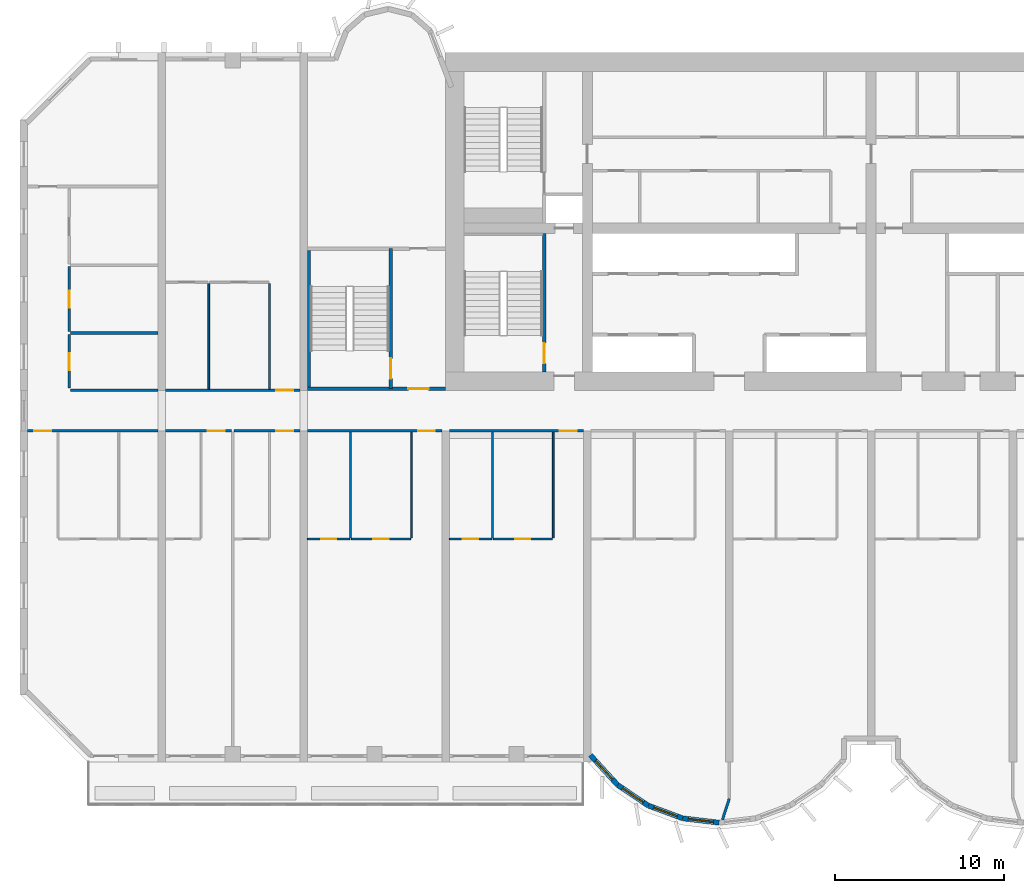
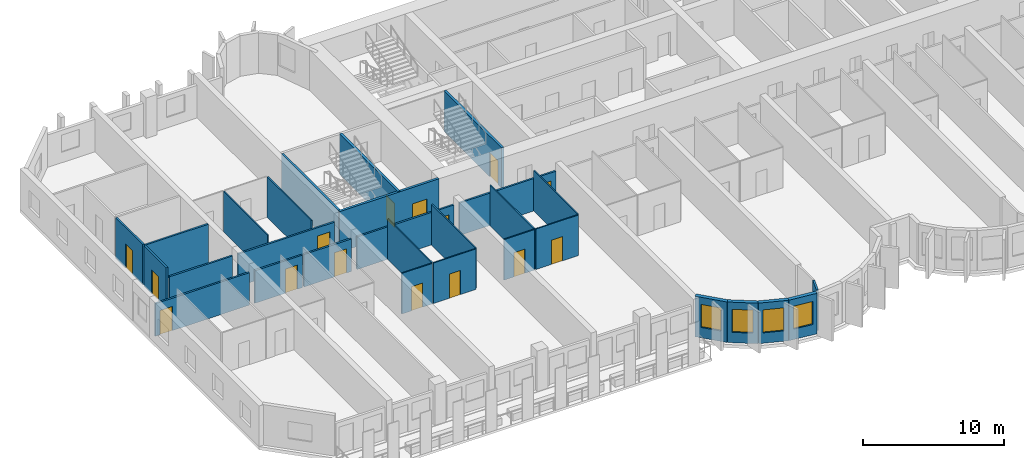
# One storey, part 3 of 14: 29 walls, 15 doors, 4 windows, 19 openings.
"""IFC4 building model written with IfcOpenShell, lengths in metres."""

from ifc_helpers import new_model, si_unit, direction, frame, frame_2d, origin, place, context, subcontext, project, spatial, rectangle, extrude, source, transform, mapped, material, layer, layer_set, type_object, element, fill, save


model = new_model("IFC4")

# Units and contexts
model_context = context("Model", 3, precision=1e-05, world=origin(), true_north=direction((0.0, 1.0)))
body_context = subcontext(model_context, "Body", "Model", "MODEL_VIEW")
ifc_project = project(units=[si_unit("LENGTHUNIT", "METRE"), si_unit("AREAUNIT", "SQUARE_METRE"), si_unit("VOLUMEUNIT", "CUBIC_METRE"), si_unit("PLANEANGLEUNIT", "RADIAN"), si_unit("MASSUNIT", "GRAM", prefix="KILO")], contexts=[model_context])

# Site, building, storey
site_placement = place(None, origin())
site = spatial("IfcSite", under=ifc_project, at=site_placement, CompositionType="ELEMENT")
building_placement = place(site_placement, origin())
building = spatial("IfcBuilding", under=site, at=building_placement, Name="Vanashikhar Sky Hotel", CompositionType="ELEMENT")
storey_placement = place(building_placement, frame((0.0, 0.0, 43.0)))
storey = spatial("IfcBuildingStorey", under=building, at=storey_placement, Name="L09", CompositionType="ELEMENT", Elevation=43.0)

# Wall, opening, window
ifc_material_1 = material(Name="Concrete M50", Category="concrete")
ifc_layer_1 = layer(ifc_material_1, 0.300048828125)
ifc_layer_set_1 = layer_set([ifc_layer_1], Name="Lobe wall 300")
wall_type_1 = type_object("IfcWallType", Name="Lobe wall 300", PredefinedType="SOLIDWALL", material=ifc_layer_set_1)
shared_shape_1 = source(origin(), body_context, "Body", "SweptSolid", [
    extrude(rectangle(XDim=2.398193359375, YDim=0.300048828125, at=frame_2d((1.19921875, 0.0))), origin(), (0.0, 0.0, 1.0), 3.52001953125),
])
wall_1_placement = place(storey_placement, frame((33.776123046875, 0.39990234375, 0.0), z_axis=(0.0, 0.0, 1.0), x_axis=(0.675374189419, -0.737475222815, 0.0)))
wall_1 = element("IfcWall", 1, at=wall_1_placement, inside=storey, type_object=wall_type_1, Name="Lobe wall", PredefinedType="SOLIDWALL", context=body_context, shape_type="MappedRepresentation", body=[
    mapped(shared_shape_1, transform((0.0, 0.0, 0.0), scale=1.0)),
])
shared_shape_2 = source(origin(), body_context, "Body", "SweptSolid", [
    extrude(rectangle(XDim=1.5, YDim=2.0, at=frame_2d((0.75, 1.0))), frame((0.0, 0.16015625, 0.0), z_axis=(0.0, -1.0, 0.0), x_axis=(1.0, 0.0, 0.0)), (0.0, 0.0, 1.0), 0.320068359375),
])
opening_1_placement = place(wall_1_placement, frame((0.44921875, 0.0, 0.89990234375)))
opening_1 = element("IfcOpeningElement", 2, at=opening_1_placement, cuts=wall_1, Name="Opening WN-2", PredefinedType="OPENING", context=body_context, shape_type="MappedRepresentation", body=[
    mapped(shared_shape_2, transform((0.0, 0.0, 0.0), scale=1.0)),
])
ifc_material_2 = material(Name="Glass", Category="glass")
window_type = type_object("IfcWindowType", Name="Lobe window 1500 x 2000", PartitioningType="SINGLE_PANEL", PredefinedType="WINDOW", material=ifc_material_2)
shared_shape_3 = source(origin(), body_context, "Body", "SweptSolid", [
    extrude(rectangle(XDim=1.5, YDim=2.0, at=frame_2d((0.75, 1.0))), frame((0.0, 0.030029296875, 0.0), z_axis=(0.0, -1.0, 0.0), x_axis=(1.0, 0.0, 0.0)), (0.0, 0.0, 1.0), 0.06005859375),
])
window_1_placement = place(opening_1_placement, origin())
window_1 = element("IfcWindow", 3, at=window_1_placement, inside=storey, type_object=window_type, Name="Window WN-2", OverallHeight=2.0, OverallWidth=1.5, PartitioningType="SINGLE_PANEL", PredefinedType="WINDOW", context=body_context, shape_type="MappedRepresentation", body=[
    mapped(shared_shape_3, transform((0.0, 0.0, 0.0), scale=1.0)),
])
fill(opening_1, window_1)

shared_shape_4 = source(origin(), body_context, "Body", "SweptSolid", [
    extrude(rectangle(XDim=2.17578125, YDim=0.300048828125, at=frame_2d((1.087890625, 0.0))), origin(), (0.0, 0.0, 1.0), 3.52001953125),
])
wall_2_placement = place(storey_placement, frame((35.395751953125, -1.36865234375, 0.0), z_axis=(0.0, 0.0, 1.0), x_axis=(0.829590746428, -0.558371913192, 0.0)))
wall_2 = element("IfcWall", 4, at=wall_2_placement, inside=storey, type_object=wall_type_1, Name="Lobe wall", PredefinedType="SOLIDWALL", context=body_context, shape_type="MappedRepresentation", body=[
    mapped(shared_shape_4, transform((0.0, 0.0, 0.0), scale=1.0)),
])
opening_2_placement = place(wall_2_placement, frame((0.337890625, 0.0, 0.89990234375)))
opening_2 = element("IfcOpeningElement", 5, at=opening_2_placement, cuts=wall_2, Name="Opening WN-2", PredefinedType="OPENING", context=body_context, shape_type="MappedRepresentation", body=[
    mapped(shared_shape_2, transform((0.0, 0.0, 0.0), scale=1.0)),
])
window_2_placement = place(opening_2_placement, origin())
window_2 = element("IfcWindow", 6, at=window_2_placement, inside=storey, type_object=window_type, Name="Window WN-2", OverallHeight=2.0, OverallWidth=1.5, PartitioningType="SINGLE_PANEL", PredefinedType="WINDOW", context=body_context, shape_type="MappedRepresentation", body=[
    mapped(shared_shape_3, transform((0.0, 0.0, 0.0), scale=1.0)),
])
fill(opening_2, window_2)

wall_3_placement = place(storey_placement, frame((37.20068359375, -2.58349609375, 0.0), z_axis=(0.0, 0.0, 1.0), x_axis=(0.93754555999, -0.347862505801, 0.0)))
wall_3 = element("IfcWall", 7, at=wall_3_placement, inside=storey, type_object=wall_type_1, Name="Lobe wall", PredefinedType="SOLIDWALL", context=body_context, shape_type="MappedRepresentation", body=[
    mapped(shared_shape_4, transform((0.0, 0.0, 0.0), scale=1.0)),
])
opening_3_placement = place(wall_3_placement, frame((0.337890625, 0.0, 0.89990234375)))
opening_3 = element("IfcOpeningElement", 8, at=opening_3_placement, cuts=wall_3, Name="Opening WN-2", PredefinedType="OPENING", context=body_context, shape_type="MappedRepresentation", body=[
    mapped(shared_shape_2, transform((0.0, 0.0, 0.0), scale=1.0)),
])
window_3_placement = place(opening_3_placement, origin())
window_3 = element("IfcWindow", 9, at=window_3_placement, inside=storey, type_object=window_type, Name="Window WN-2", OverallHeight=2.0, OverallWidth=1.5, PartitioningType="SINGLE_PANEL", PredefinedType="WINDOW", context=body_context, shape_type="MappedRepresentation", body=[
    mapped(shared_shape_3, transform((0.0, 0.0, 0.0), scale=1.0)),
])
fill(opening_3, window_3)

shared_shape_5 = source(origin(), body_context, "Body", "SweptSolid", [
    extrude(rectangle(XDim=2.174560546875, YDim=0.300048828125, at=frame_2d((1.08740234375, 0.0))), origin(), (0.0, 0.0, 1.0), 3.52001953125),
])
wall_4_placement = place(storey_placement, frame((39.240478515625, -3.34033203125, 0.0), z_axis=(0.0, 0.0, 1.0), x_axis=(0.993001132889, -0.118104826659, 0.0)))
wall_4 = element("IfcWall", 10, at=wall_4_placement, inside=storey, type_object=wall_type_1, Name="Lobe wall", PredefinedType="SOLIDWALL", context=body_context, shape_type="MappedRepresentation", body=[
    mapped(shared_shape_5, transform((0.0, 0.0, 0.0), scale=1.0)),
])
opening_4_placement = place(wall_4_placement, frame((0.33740234375, 0.0, 0.89990234375)))
opening_4 = element("IfcOpeningElement", 11, at=opening_4_placement, cuts=wall_4, Name="Opening WN-2", PredefinedType="OPENING", context=body_context, shape_type="MappedRepresentation", body=[
    mapped(shared_shape_2, transform((0.0, 0.0, 0.0), scale=1.0)),
])
window_4_placement = place(opening_4_placement, origin())
window_4 = element("IfcWindow", 12, at=window_4_placement, inside=storey, type_object=window_type, Name="Window WN-2", OverallHeight=2.0, OverallWidth=1.5, PartitioningType="SINGLE_PANEL", PredefinedType="WINDOW", context=body_context, shape_type="MappedRepresentation", body=[
    mapped(shared_shape_3, transform((0.0, 0.0, 0.0), scale=1.0)),
])
fill(opening_4, window_4)

# Wall, opening, door
ifc_layer_2 = layer(ifc_material_1, 0.199951171875)
ifc_layer_set_2 = layer_set([ifc_layer_2], Name="Stair wall 200")
wall_type_2 = type_object("IfcWallType", Name="Stair wall 200", PredefinedType="SOLIDWALL", material=ifc_layer_set_2)
shared_shape_6 = source(origin(), body_context, "Body", "SweptSolid", [
    extrude(rectangle(XDim=8.199951171875, YDim=0.199951171875, at=frame_2d((4.10009765625, 0.0))), origin(), (0.0, 0.0, 1.0), 3.52001953125),
])
wall_5_placement = place(storey_placement, frame((31.050048828125, 23.10009765625, 0.0), z_axis=(0.0, 0.0, 1.0), x_axis=(0.0, 1.0, 0.0)))
wall_5 = element("IfcWall", 13, at=wall_5_placement, inside=storey, type_object=wall_type_2, Name="Stair wall 200", PredefinedType="SOLIDWALL", context=body_context, shape_type="MappedRepresentation", body=[
    mapped(shared_shape_6, transform((0.0, 0.0, 0.0), scale=1.0)),
])
shared_shape_7 = source(origin(), body_context, "Body", "SweptSolid", [
    extrude(rectangle(XDim=1.199951171875, YDim=2.10009765625, at=frame_2d((0.60009765625, 1.050048828125))), frame((0.0, 0.10986328125, 0.0), z_axis=(0.0, -1.0, 0.0), x_axis=(1.0, 0.0, 0.0)), (0.0, 0.0, 1.0), 0.219970703125),
])
opening_5_placement = place(wall_5_placement, frame((0.5, 0.0, 0.0)))
opening_5 = element("IfcOpeningElement", 14, at=opening_5_placement, cuts=wall_5, Name="Opening DC-1", PredefinedType="OPENING", context=body_context, shape_type="MappedRepresentation", body=[
    mapped(shared_shape_7, transform((0.0, 0.0, 0.0), scale=1.0)),
])
ifc_material_3 = material(Name="Steel", Category="steel")
door_type_1 = type_object("IfcDoorType", Name="Stair door 1200 FD120", OperationType="NOTDEFINED", PredefinedType="DOOR", material=ifc_material_3)
shared_shape_8 = source(origin(), body_context, "Body", "SweptSolid", [
    extrude(rectangle(XDim=1.199951171875, YDim=2.10009765625, at=frame_2d((0.60009765625, 1.050048828125))), frame((0.0, 0.02490234375, 0.0), z_axis=(0.0, -1.0, 0.0), x_axis=(1.0, 0.0, 0.0)), (0.0, 0.0, 1.0), 0.050048828125),
])
door_1_placement = place(opening_5_placement, origin())
door_1 = element("IfcDoor", 15, at=door_1_placement, inside=storey, type_object=door_type_1, Name="Stair door 1200 FD120", OperationType="SINGLE_SWING_RIGHT", OverallHeight=2.10009765625, OverallWidth=1.199951171875, PredefinedType="DOOR", context=body_context, shape_type="MappedRepresentation", body=[
    mapped(shared_shape_8, transform((0.0, 0.0, 0.0), scale=1.0)),
])
fill(opening_5, door_1)

shared_shape_9 = source(origin(), body_context, "Body", "SweptSolid", [
    extrude(rectangle(XDim=8.2998046875, YDim=0.199951171875, at=frame_2d((4.14990234375, 0.0))), origin(), (0.0, 0.0, 1.0), 3.52001953125),
])
wall_6_placement = place(storey_placement, frame((21.949951171875, 22.10009765625, 0.0), z_axis=(0.0, 0.0, 1.0), x_axis=(0.0, 1.0, 0.0)))
wall_6 = element("IfcWall", 16, at=wall_6_placement, inside=storey, type_object=wall_type_2, Name="Stair wall 200", PredefinedType="SOLIDWALL", context=body_context, shape_type="MappedRepresentation", body=[
    mapped(shared_shape_9, transform((0.0, 0.0, 0.0), scale=1.0)),
])
opening_6_placement = place(wall_6_placement, frame((0.60009765625, 0.0, 0.0)))
opening_6 = element("IfcOpeningElement", 17, at=opening_6_placement, cuts=wall_6, Name="Opening DC-1", PredefinedType="OPENING", context=body_context, shape_type="MappedRepresentation", body=[
    mapped(shared_shape_7, transform((0.0, 0.0, 0.0), scale=1.0)),
])
door_2_placement = place(opening_6_placement, origin())
door_2 = element("IfcDoor", 18, at=door_2_placement, inside=storey, type_object=door_type_1, Name="Stair door 1200 FD120", OperationType="SINGLE_SWING_LEFT", OverallHeight=2.10009765625, OverallWidth=1.199951171875, PredefinedType="DOOR", context=body_context, shape_type="MappedRepresentation", body=[
    mapped(shared_shape_8, transform((0.0, 0.0, 0.0), scale=1.0)),
])
fill(opening_6, door_2)

shared_shape_10 = source(origin(), body_context, "Body", "SweptSolid", [
    extrude(rectangle(XDim=8.175048828125, YDim=0.199951171875, at=frame_2d((4.08740234375, 0.0))), origin(), (0.0, 0.0, 1.0), 3.52001953125),
])
wall_7_placement = place(storey_placement, frame((17.02490234375, 22.10009765625, 0.0), z_axis=(0.0, 0.0, 1.0), x_axis=(1.0, 0.0, 0.0)))
wall_7 = element("IfcWall", 19, at=wall_7_placement, inside=storey, type_object=wall_type_2, Name="Stair wall 200", PredefinedType="SOLIDWALL", context=body_context, shape_type="MappedRepresentation", body=[
    mapped(shared_shape_10, transform((0.0, 0.0, 0.0), scale=1.0)),
])
opening_7_placement = place(wall_7_placement, frame((5.97509765625, 0.0, 0.0)))
opening_7 = element("IfcOpeningElement", 20, at=opening_7_placement, cuts=wall_7, Name="Opening DC-2", PredefinedType="OPENING", context=body_context, shape_type="MappedRepresentation", body=[
    mapped(shared_shape_7, transform((0.0, 0.0, 0.0), scale=1.0)),
])
door_type_2 = type_object("IfcDoorType", Name="Firefighting lobby door 1200 FD120", OperationType="NOTDEFINED", PredefinedType="DOOR", material=ifc_material_3)
door_3_placement = place(opening_7_placement, origin())
door_3 = element("IfcDoor", 21, at=door_3_placement, inside=storey, type_object=door_type_2, Name="Firefighting lobby door 1200 FD120", OperationType="SINGLE_SWING_RIGHT", OverallHeight=2.10009765625, OverallWidth=1.199951171875, PredefinedType="DOOR", context=body_context, shape_type="MappedRepresentation", body=[
    mapped(shared_shape_8, transform((0.0, 0.0, 0.0), scale=1.0)),
])
fill(opening_7, door_3)

# Wall
ifc_layer_3 = layer(ifc_material_1, 0.175048828125)
ifc_layer_set_3 = layer_set([ifc_layer_3], Name="Stair infill wall 175")
wall_type_3 = type_object("IfcWallType", Name="Stair infill wall 175", PredefinedType="SOLIDWALL", material=ifc_layer_set_3)
shared_shape_11 = source(origin(), body_context, "Body", "SweptSolid", [
    extrude(rectangle(XDim=8.10009765625, YDim=0.175048828125, at=frame_2d((4.050048828125, 0.0))), origin(), (0.0, 0.0, 1.0), 3.52001953125),
])
wall_8_placement = place(storey_placement, frame((17.112060546875, 22.199951171875, 0.0), z_axis=(0.0, 0.0, 1.0), x_axis=(0.0, 1.0, 0.0)))
element("IfcWall", 22, at=wall_8_placement, inside=storey, type_object=wall_type_3, Name="Stair infill wall 175", PredefinedType="SOLIDWALL", context=body_context, shape_type="MappedRepresentation", body=[
    mapped(shared_shape_11, transform((0.0, 0.0, 0.0), scale=1.0)),
])

# Wall, opening, door
ifc_material_4 = material(Name="Gypsum plasterboard partition")
ifc_layer_4 = layer(ifc_material_4, 0.14990234375)
ifc_layer_set_4 = layer_set([ifc_layer_4], Name="Corridor and demising partition 150")
wall_type_4 = type_object("IfcWallType", Name="Corridor and demising partition 150", PredefinedType="PARTITIONING", material=ifc_layer_set_4)
shared_shape_12 = source(origin(), body_context, "Body", "SweptSolid", [
    extrude(rectangle(XDim=3.89990234375, YDim=0.14990234375, at=frame_2d((1.949951171875, 0.0))), origin(), (0.0, 0.0, 1.0), 2.820068359375),
])
wall_9_placement = place(storey_placement, frame((8.625, 19.60009765625, 0.0), z_axis=(0.0, 0.0, 1.0), x_axis=(1.0, 0.0, 0.0)))
wall_9 = element("IfcWall", 23, at=wall_9_placement, inside=storey, type_object=wall_type_4, Name="W-L09-PW008", PredefinedType="PARTITIONING", context=body_context, shape_type="MappedRepresentation", body=[
    mapped(shared_shape_12, transform((0.0, 0.0, 0.0), scale=1.0)),
])
shared_shape_13 = source(origin(), body_context, "Body", "SweptSolid", [
    extrude(rectangle(XDim=1.0, YDim=2.10009765625, at=frame_2d((0.5, 1.050048828125))), frame((0.0, 0.0849609375, 0.0), z_axis=(0.0, -1.0, 0.0), x_axis=(1.0, 0.0, 0.0)), (0.0, 0.0, 1.0), 0.169921875),
])
opening_8_placement = place(wall_9_placement, frame((2.5, 0.0, 0.0)))
opening_8 = element("IfcOpeningElement", 24, at=opening_8_placement, cuts=wall_9, Name="Opening D-01", PredefinedType="OPENING", context=body_context, shape_type="MappedRepresentation", body=[
    mapped(shared_shape_13, transform((0.0, 0.0, 0.0), scale=1.0)),
])
ifc_material_5 = material(Name="Timber fire door", Category="wood")
door_type_3 = type_object("IfcDoorType", Name="Guest entry door 1000 FD30S", OperationType="NOTDEFINED", PredefinedType="DOOR", material=ifc_material_5)
shared_shape_14 = source(origin(), body_context, "Body", "SweptSolid", [
    extrude(rectangle(XDim=1.0, YDim=2.10009765625, at=frame_2d((0.5, 1.050048828125))), frame((0.0, 0.02490234375, 0.0), z_axis=(0.0, -1.0, 0.0), x_axis=(1.0, 0.0, 0.0)), (0.0, 0.0, 1.0), 0.050048828125),
])
door_4_placement = place(opening_8_placement, origin())
door_4 = element("IfcDoor", 25, at=door_4_placement, inside=storey, type_object=door_type_3, Name="D-L09-005", OperationType="SINGLE_SWING_RIGHT", OverallHeight=2.10009765625, OverallWidth=1.0, PredefinedType="DOOR", context=body_context, shape_type="MappedRepresentation", body=[
    mapped(shared_shape_14, transform((0.0, 0.0, 0.0), scale=1.0)),
])
fill(opening_8, door_4)

wall_10_placement = place(storey_placement, frame((12.675048828125, 19.60009765625, 0.0), z_axis=(0.0, 0.0, 1.0), x_axis=(1.0, 0.0, 0.0)))
wall_10 = element("IfcWall", 26, at=wall_10_placement, inside=storey, type_object=wall_type_4, Name="W-L09-PW011", PredefinedType="PARTITIONING", context=body_context, shape_type="MappedRepresentation", body=[
    mapped(shared_shape_12, transform((0.0, 0.0, 0.0), scale=1.0)),
])
opening_9_placement = place(wall_10_placement, frame((2.5, 0.0, 0.0)))
opening_9 = element("IfcOpeningElement", 27, at=opening_9_placement, cuts=wall_10, Name="Opening D-01", PredefinedType="OPENING", context=body_context, shape_type="MappedRepresentation", body=[
    mapped(shared_shape_13, transform((0.0, 0.0, 0.0), scale=1.0)),
])
door_5_placement = place(opening_9_placement, origin())
door_5 = element("IfcDoor", 28, at=door_5_placement, inside=storey, type_object=door_type_3, Name="D-L09-007", OperationType="SINGLE_SWING_RIGHT", OverallHeight=2.10009765625, OverallWidth=1.0, PredefinedType="DOOR", context=body_context, shape_type="MappedRepresentation", body=[
    mapped(shared_shape_14, transform((0.0, 0.0, 0.0), scale=1.0)),
])
fill(opening_9, door_5)

# Walls
shared_shape_15 = source(origin(), body_context, "Body", "SweptSolid", [
    extrude(rectangle(XDim=5.175048828125, YDim=0.14990234375, at=frame_2d((2.58740234375, 0.0))), origin(), (0.0, 0.0, 1.0), 2.820068359375),
])
wall_11_placement = place(storey_placement, frame((3.0, 22.0, 0.0), z_axis=(0.0, 0.0, 1.0), x_axis=(1.0, 0.0, 0.0)))
element("IfcWall", 29, at=wall_11_placement, inside=storey, type_object=wall_type_4, Name="W-L09-PW070", PredefinedType="PARTITIONING", context=body_context, shape_type="MappedRepresentation", body=[
    mapped(shared_shape_15, transform((0.0, 0.0, 0.0), scale=1.0)),
])
shared_shape_16 = source(origin(), body_context, "Body", "SweptSolid", [
    extrude(rectangle(XDim=5.175048828125, YDim=0.14990234375, at=frame_2d((2.58740234375, 0.0))), origin(), (0.0, 0.0, 1.0), 3.52001953125),
])
wall_12_placement = place(storey_placement, frame((3.0, 25.39990234375, 0.0), z_axis=(0.0, 0.0, 1.0), x_axis=(1.0, 0.0, 0.0)))
element("IfcWall", 30, at=wall_12_placement, inside=storey, type_object=wall_type_4, Name="W-L09-PW072", PredefinedType="PARTITIONING", context=body_context, shape_type="MappedRepresentation", body=[
    mapped(shared_shape_16, transform((0.0, 0.0, 0.0), scale=1.0)),
])

# Wall, opening, door
ifc_layer_5 = layer(ifc_material_4, 0.10009765625)
ifc_layer_set_5 = layer_set([ifc_layer_5], Name="Wet room partition 100")
wall_type_5 = type_object("IfcWallType", Name="Wet room partition 100", PredefinedType="PARTITIONING", material=ifc_layer_set_5)
shared_shape_17 = source(origin(), body_context, "Body", "SweptSolid", [
    extrude(rectangle(XDim=3.5, YDim=0.10009765625, at=frame_2d((1.75, 0.0))), origin(), (0.0, 0.0, 1.0), 3.52001953125),
])
wall_13_placement = place(storey_placement, frame((19.625, 13.199951171875, 0.0), z_axis=(0.0, 0.0, 1.0), x_axis=(1.0, 0.0, 0.0)))
wall_13 = element("IfcWall", 31, at=wall_13_placement, inside=storey, type_object=wall_type_5, Name="W-L09-PW015", PredefinedType="PARTITIONING", context=body_context, shape_type="MappedRepresentation", body=[
    mapped(shared_shape_17, transform((0.0, 0.0, 0.0), scale=1.0)),
])
shared_shape_18 = source(origin(), body_context, "Body", "SweptSolid", [
    extrude(rectangle(XDim=0.89990234375, YDim=2.10009765625, at=frame_2d((0.449951171875, 1.050048828125))), frame((0.0, 0.06005859375, 0.0), z_axis=(0.0, -1.0, 0.0), x_axis=(1.0, 0.0, 0.0)), (0.0, 0.0, 1.0), 0.1201171875),
])
opening_10_placement = place(wall_13_placement, frame((1.300048828125, 0.0, 0.0)))
opening_10 = element("IfcOpeningElement", 32, at=opening_10_placement, cuts=wall_13, Name="Opening D-02", PredefinedType="OPENING", context=body_context, shape_type="MappedRepresentation", body=[
    mapped(shared_shape_18, transform((0.0, 0.0, 0.0), scale=1.0)),
])
ifc_material_6 = material(Name="Timber door", Category="wood")
door_type_4 = type_object("IfcDoorType", Name="Internal door 900", OperationType="NOTDEFINED", PredefinedType="DOOR", material=ifc_material_6)
shared_shape_19 = source(origin(), body_context, "Body", "SweptSolid", [
    extrude(rectangle(XDim=0.89990234375, YDim=2.10009765625, at=frame_2d((0.449951171875, 1.050048828125))), frame((0.0, 0.02490234375, 0.0), z_axis=(0.0, -1.0, 0.0), x_axis=(1.0, 0.0, 0.0)), (0.0, 0.0, 1.0), 0.050048828125),
])
door_6_placement = place(opening_10_placement, origin())
door_6 = element("IfcDoor", 33, at=door_6_placement, inside=storey, type_object=door_type_4, Name="D-L09-008", OperationType="SINGLE_SWING_RIGHT", OverallHeight=2.10009765625, OverallWidth=0.89990234375, PredefinedType="DOOR", context=body_context, shape_type="MappedRepresentation", body=[
    mapped(shared_shape_19, transform((0.0, 0.0, 0.0), scale=1.0)),
])
fill(opening_10, door_6)

wall_14_placement = place(storey_placement, frame((28.02490234375, 13.199951171875, 0.0), z_axis=(0.0, 0.0, 1.0), x_axis=(1.0, 0.0, 0.0)))
wall_14 = element("IfcWall", 34, at=wall_14_placement, inside=storey, type_object=wall_type_5, Name="W-L09-PW020", PredefinedType="PARTITIONING", context=body_context, shape_type="MappedRepresentation", body=[
    mapped(shared_shape_17, transform((0.0, 0.0, 0.0), scale=1.0)),
])
opening_11_placement = place(wall_14_placement, frame((1.300048828125, 0.0, 0.0)))
opening_11 = element("IfcOpeningElement", 35, at=opening_11_placement, cuts=wall_14, Name="Opening D-02", PredefinedType="OPENING", context=body_context, shape_type="MappedRepresentation", body=[
    mapped(shared_shape_18, transform((0.0, 0.0, 0.0), scale=1.0)),
])
door_7_placement = place(opening_11_placement, origin())
door_7 = element("IfcDoor", 36, at=door_7_placement, inside=storey, type_object=door_type_4, Name="D-L09-011", OperationType="SINGLE_SWING_RIGHT", OverallHeight=2.10009765625, OverallWidth=0.89990234375, PredefinedType="DOOR", context=body_context, shape_type="MappedRepresentation", body=[
    mapped(shared_shape_19, transform((0.0, 0.0, 0.0), scale=1.0)),
])
fill(opening_11, door_7)

shared_shape_20 = source(origin(), body_context, "Body", "SweptSolid", [
    extrude(rectangle(XDim=7.72509765625, YDim=0.14990234375, at=frame_2d((3.862548828125, 0.0))), origin(), (0.0, 0.0, 1.0), 2.820068359375),
])
wall_15_placement = place(storey_placement, frame((0.449951171875, 19.60009765625, 0.0), z_axis=(0.0, 0.0, 1.0), x_axis=(1.0, 0.0, 0.0)))
wall_15 = element("IfcWall", 37, at=wall_15_placement, inside=storey, type_object=wall_type_4, Name="W-L09-PW005", PredefinedType="PARTITIONING", context=body_context, shape_type="MappedRepresentation", body=[
    mapped(shared_shape_20, transform((0.0, 0.0, 0.0), scale=1.0)),
])
opening_12_placement = place(wall_15_placement, frame((0.39990234375, 0.0, 0.0)))
opening_12 = element("IfcOpeningElement", 38, at=opening_12_placement, cuts=wall_15, Name="Opening D-01", PredefinedType="OPENING", context=body_context, shape_type="MappedRepresentation", body=[
    mapped(shared_shape_13, transform((0.0, 0.0, 0.0), scale=1.0)),
])
door_8_placement = place(opening_12_placement, origin())
door_8 = element("IfcDoor", 39, at=door_8_placement, inside=storey, type_object=door_type_3, Name="D-L09-003", OperationType="SINGLE_SWING_LEFT", OverallHeight=2.10009765625, OverallWidth=1.0, PredefinedType="DOOR", context=body_context, shape_type="MappedRepresentation", body=[
    mapped(shared_shape_14, transform((0.0, 0.0, 0.0), scale=1.0)),
])
fill(opening_12, door_8)

# Walls
shared_shape_21 = source(origin(), body_context, "Body", "SweptSolid", [
    extrude(rectangle(XDim=1.308349609375, YDim=0.14990234375, at=frame_2d((0.654296875, 0.0))), origin(), (0.0, 0.0, 1.0), 3.52001953125),
])
wall_16_placement = place(storey_placement, frame((41.597900390625, -3.423095703125, 0.0), z_axis=(0.0, 0.0, 1.0), x_axis=(0.307313512187, 0.951608325535, 0.0)))
element("IfcWall", 40, at=wall_16_placement, inside=storey, type_object=wall_type_4, Name="W-L09-PW068B0", PredefinedType="PARTITIONING", context=body_context, shape_type="MappedRepresentation", body=[
    mapped(shared_shape_21, transform((0.0, 0.0, 0.0), scale=1.0)),
])
shared_shape_22 = source(origin(), body_context, "Body", "SweptSolid", [
    extrude(rectangle(XDim=6.25, YDim=0.10009765625, at=frame_2d((3.125, 0.0))), origin(), (0.0, 0.0, 1.0), 3.52001953125),
])
for number, where, z_axis, x_axis, name in (
    (41, (23.175048828125, 13.27490234375, 0.0), (0.0, 0.0, 1.0), (0.0, 1.0, 0.0), "W-L09-PW013"),
    (42, (19.574951171875, 13.27490234375, 0.0), (0.0, 0.0, 1.0), (0.0, 1.0, 0.0), "W-L09-PW014"),
    (43, (31.574951171875, 13.27490234375, 0.0), (0.0, 0.0, 1.0), (0.0, 1.0, 0.0), "W-L09-PW018"),
    (44, (27.97509765625, 13.27490234375, 0.0), (0.0, 0.0, 1.0), (0.0, 1.0, 0.0), "W-L09-PW019"),
    (45, (14.77490234375, 22.074951171875, 0.0), (0.0, 0.0, 1.0), (0.0, 1.0, 0.0), "W-L09-PW077"),
    (46, (11.175048828125, 22.074951171875, 0.0), (0.0, 0.0, 1.0), (0.0, 1.0, 0.0), "W-L09-PW078"),
):
    element("IfcWall", number, at=place(storey_placement, frame(where, z_axis=z_axis, x_axis=x_axis)), inside=storey, type_object=wall_type_5, Name=name, PredefinedType="PARTITIONING", context=body_context, shape_type="MappedRepresentation", body=[
        mapped(shared_shape_22, transform((0.0, 0.0, 0.0), scale=1.0)),
    ])

# Wall, opening, door
shared_shape_23 = source(origin(), body_context, "Body", "SweptSolid", [
    extrude(rectangle(XDim=2.5, YDim=0.10009765625, at=frame_2d((1.25, 0.0))), origin(), (0.0, 0.0, 1.0), 3.52001953125),
])
wall_17_placement = place(storey_placement, frame((17.02490234375, 13.199951171875, 0.0), z_axis=(0.0, 0.0, 1.0), x_axis=(1.0, 0.0, 0.0)))
wall_17 = element("IfcWall", 47, at=wall_17_placement, inside=storey, type_object=wall_type_5, Name="W-L09-PW016", PredefinedType="PARTITIONING", context=body_context, shape_type="MappedRepresentation", body=[
    mapped(shared_shape_23, transform((0.0, 0.0, 0.0), scale=1.0)),
])
opening_13_placement = place(wall_17_placement, frame((0.800048828125, 0.0, 0.0)))
opening_13 = element("IfcOpeningElement", 48, at=opening_13_placement, cuts=wall_17, Name="Opening D-02", PredefinedType="OPENING", context=body_context, shape_type="MappedRepresentation", body=[
    mapped(shared_shape_18, transform((0.0, 0.0, 0.0), scale=1.0)),
])
door_9_placement = place(opening_13_placement, origin())
door_9 = element("IfcDoor", 49, at=door_9_placement, inside=storey, type_object=door_type_4, Name="D-L09-009", OperationType="SINGLE_SWING_RIGHT", OverallHeight=2.10009765625, OverallWidth=0.89990234375, PredefinedType="DOOR", context=body_context, shape_type="MappedRepresentation", body=[
    mapped(shared_shape_19, transform((0.0, 0.0, 0.0), scale=1.0)),
])
fill(opening_13, door_9)

wall_18_placement = place(storey_placement, frame((25.425048828125, 13.199951171875, 0.0), z_axis=(0.0, 0.0, 1.0), x_axis=(1.0, 0.0, 0.0)))
wall_18 = element("IfcWall", 50, at=wall_18_placement, inside=storey, type_object=wall_type_5, Name="W-L09-PW021", PredefinedType="PARTITIONING", context=body_context, shape_type="MappedRepresentation", body=[
    mapped(shared_shape_23, transform((0.0, 0.0, 0.0), scale=1.0)),
])
opening_14_placement = place(wall_18_placement, frame((0.800048828125, 0.0, 0.0)))
opening_14 = element("IfcOpeningElement", 51, at=opening_14_placement, cuts=wall_18, Name="Opening D-02", PredefinedType="OPENING", context=body_context, shape_type="MappedRepresentation", body=[
    mapped(shared_shape_18, transform((0.0, 0.0, 0.0), scale=1.0)),
])
door_10_placement = place(opening_14_placement, origin())
door_10 = element("IfcDoor", 52, at=door_10_placement, inside=storey, type_object=door_type_4, Name="D-L09-012", OperationType="SINGLE_SWING_RIGHT", OverallHeight=2.10009765625, OverallWidth=0.89990234375, PredefinedType="DOOR", context=body_context, shape_type="MappedRepresentation", body=[
    mapped(shared_shape_19, transform((0.0, 0.0, 0.0), scale=1.0)),
])
fill(opening_14, door_10)

shared_shape_24 = source(origin(), body_context, "Body", "SweptSolid", [
    extrude(rectangle(XDim=7.9501953125, YDim=0.14990234375, at=frame_2d((3.97509765625, 0.0))), origin(), (0.0, 0.0, 1.0), 2.820068359375),
])
wall_19_placement = place(storey_placement, frame((17.02490234375, 19.60009765625, 0.0), z_axis=(0.0, 0.0, 1.0), x_axis=(1.0, 0.0, 0.0)))
wall_19 = element("IfcWall", 53, at=wall_19_placement, inside=storey, type_object=wall_type_4, Name="W-L09-PW017", PredefinedType="PARTITIONING", context=body_context, shape_type="MappedRepresentation", body=[
    mapped(shared_shape_24, transform((0.0, 0.0, 0.0), scale=1.0)),
])
opening_15_placement = place(wall_19_placement, frame((6.550048828125, 0.0, 0.0)))
opening_15 = element("IfcOpeningElement", 54, at=opening_15_placement, cuts=wall_19, Name="Opening D-01", PredefinedType="OPENING", context=body_context, shape_type="MappedRepresentation", body=[
    mapped(shared_shape_13, transform((0.0, 0.0, 0.0), scale=1.0)),
])
door_11_placement = place(opening_15_placement, origin())
door_11 = element("IfcDoor", 55, at=door_11_placement, inside=storey, type_object=door_type_3, Name="D-L09-010", OperationType="SINGLE_SWING_RIGHT", OverallHeight=2.10009765625, OverallWidth=1.0, PredefinedType="DOOR", context=body_context, shape_type="MappedRepresentation", body=[
    mapped(shared_shape_14, transform((0.0, 0.0, 0.0), scale=1.0)),
])
fill(opening_15, door_11)

shared_shape_25 = source(origin(), body_context, "Body", "SweptSolid", [
    extrude(rectangle(XDim=7.949951171875, YDim=0.14990234375, at=frame_2d((3.97509765625, 0.0))), origin(), (0.0, 0.0, 1.0), 2.820068359375),
])
wall_20_placement = place(storey_placement, frame((25.425048828125, 19.60009765625, 0.0), z_axis=(0.0, 0.0, 1.0), x_axis=(1.0, 0.0, 0.0)))
wall_20 = element("IfcWall", 56, at=wall_20_placement, inside=storey, type_object=wall_type_4, Name="W-L09-PW022", PredefinedType="PARTITIONING", context=body_context, shape_type="MappedRepresentation", body=[
    mapped(shared_shape_25, transform((0.0, 0.0, 0.0), scale=1.0)),
])
opening_16_placement = place(wall_20_placement, frame((6.550048828125, 0.0, 0.0)))
opening_16 = element("IfcOpeningElement", 57, at=opening_16_placement, cuts=wall_20, Name="Opening D-01", PredefinedType="OPENING", context=body_context, shape_type="MappedRepresentation", body=[
    mapped(shared_shape_13, transform((0.0, 0.0, 0.0), scale=1.0)),
])
door_12_placement = place(opening_16_placement, origin())
door_12 = element("IfcDoor", 58, at=door_12_placement, inside=storey, type_object=door_type_3, Name="D-L09-013", OperationType="SINGLE_SWING_RIGHT", OverallHeight=2.10009765625, OverallWidth=1.0, PredefinedType="DOOR", context=body_context, shape_type="MappedRepresentation", body=[
    mapped(shared_shape_14, transform((0.0, 0.0, 0.0), scale=1.0)),
])
fill(opening_16, door_12)

wall_21_placement = place(storey_placement, frame((8.625, 22.0, 0.0), z_axis=(0.0, 0.0, 1.0), x_axis=(1.0, 0.0, 0.0)))
wall_21 = element("IfcWall", 59, at=wall_21_placement, inside=storey, type_object=wall_type_4, Name="W-L09-PW081", PredefinedType="PARTITIONING", context=body_context, shape_type="MappedRepresentation", body=[
    mapped(shared_shape_25, transform((0.0, 0.0, 0.0), scale=1.0)),
])
opening_17_placement = place(wall_21_placement, frame((6.550048828125, 0.0, 0.0)))
opening_17 = element("IfcOpeningElement", 60, at=opening_17_placement, cuts=wall_21, Name="Opening D-01", PredefinedType="OPENING", context=body_context, shape_type="MappedRepresentation", body=[
    mapped(shared_shape_13, transform((0.0, 0.0, 0.0), scale=1.0)),
])
door_13_placement = place(opening_17_placement, origin())
door_13 = element("IfcDoor", 61, at=door_13_placement, inside=storey, type_object=door_type_3, Name="D-L09-047", OperationType="SINGLE_SWING_RIGHT", OverallHeight=2.10009765625, OverallWidth=1.0, PredefinedType="DOOR", context=body_context, shape_type="MappedRepresentation", body=[
    mapped(shared_shape_14, transform((0.0, 0.0, 0.0), scale=1.0)),
])
fill(opening_17, door_13)

shared_shape_26 = source(origin(), body_context, "Body", "SweptSolid", [
    extrude(rectangle(XDim=3.175048828125, YDim=0.14990234375, at=frame_2d((1.58740234375, 0.0))), origin(), (0.0, 0.0, 1.0), 3.52001953125),
])
wall_22_placement = place(storey_placement, frame((2.925048828125, 22.14990234375, 0.0), z_axis=(0.0, 0.0, 1.0), x_axis=(0.0, 1.0, 0.0)))
wall_22 = element("IfcWall", 62, at=wall_22_placement, inside=storey, type_object=wall_type_4, Name="W-L09-PW071", PredefinedType="PARTITIONING", context=body_context, shape_type="MappedRepresentation", body=[
    mapped(shared_shape_26, transform((0.0, 0.0, 0.0), scale=1.0)),
])
opening_18_placement = place(wall_22_placement, frame((1.050048828125, 0.0, 0.0)))
opening_18 = element("IfcOpeningElement", 63, at=opening_18_placement, cuts=wall_22, Name="Opening D-01", PredefinedType="OPENING", context=body_context, shape_type="MappedRepresentation", body=[
    mapped(shared_shape_13, transform((0.0, 0.0, 0.0), scale=1.0)),
])
door_14_placement = place(opening_18_placement, origin())
door_14 = element("IfcDoor", 64, at=door_14_placement, inside=storey, type_object=door_type_3, Name="D-L09-041", OperationType="SINGLE_SWING_LEFT", OverallHeight=2.10009765625, OverallWidth=1.0, PredefinedType="DOOR", context=body_context, shape_type="MappedRepresentation", body=[
    mapped(shared_shape_14, transform((0.0, 0.0, 0.0), scale=1.0)),
])
fill(opening_18, door_14)

shared_shape_27 = source(origin(), body_context, "Body", "SweptSolid", [
    extrude(rectangle(XDim=3.849853515625, YDim=0.14990234375, at=frame_2d((1.9248046875, 0.0))), origin(), (0.0, 0.0, 1.0), 3.52001953125),
])
wall_23_placement = place(storey_placement, frame((2.925048828125, 25.47509765625, 0.0), z_axis=(0.0, 0.0, 1.0), x_axis=(0.0, 1.0, 0.0)))
wall_23 = element("IfcWall", 65, at=wall_23_placement, inside=storey, type_object=wall_type_4, Name="W-L09-PW073", PredefinedType="PARTITIONING", context=body_context, shape_type="MappedRepresentation", body=[
    mapped(shared_shape_27, transform((0.0, 0.0, 0.0), scale=1.0)),
])
opening_19_placement = place(wall_23_placement, frame((1.425048828125, 0.0, 0.0)))
opening_19 = element("IfcOpeningElement", 66, at=opening_19_placement, cuts=wall_23, Name="Opening D-01", PredefinedType="OPENING", context=body_context, shape_type="MappedRepresentation", body=[
    mapped(shared_shape_13, transform((0.0, 0.0, 0.0), scale=1.0)),
])
door_15_placement = place(opening_19_placement, origin())
door_15 = element("IfcDoor", 67, at=door_15_placement, inside=storey, type_object=door_type_3, Name="D-L09-042", OperationType="SINGLE_SWING_LEFT", OverallHeight=2.10009765625, OverallWidth=1.0, PredefinedType="DOOR", context=body_context, shape_type="MappedRepresentation", body=[
    mapped(shared_shape_14, transform((0.0, 0.0, 0.0), scale=1.0)),
])
fill(opening_19, door_15)

save(model, "model.ifc")
